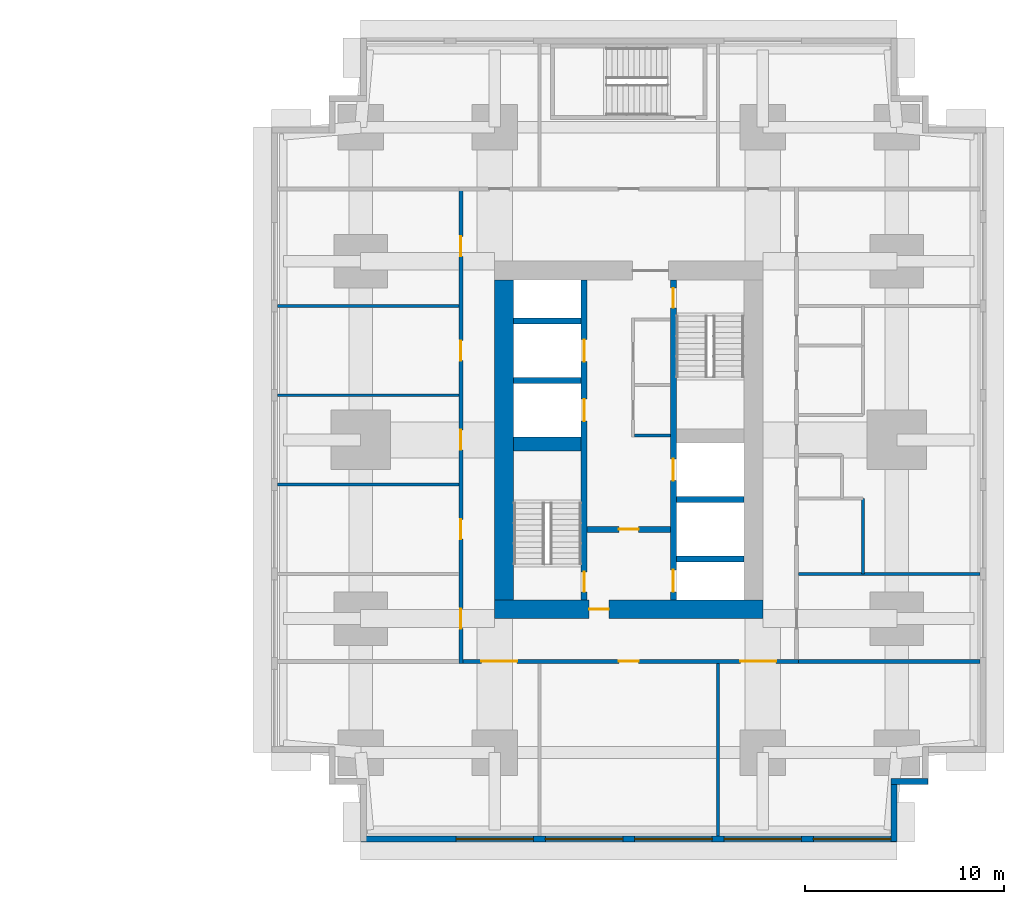
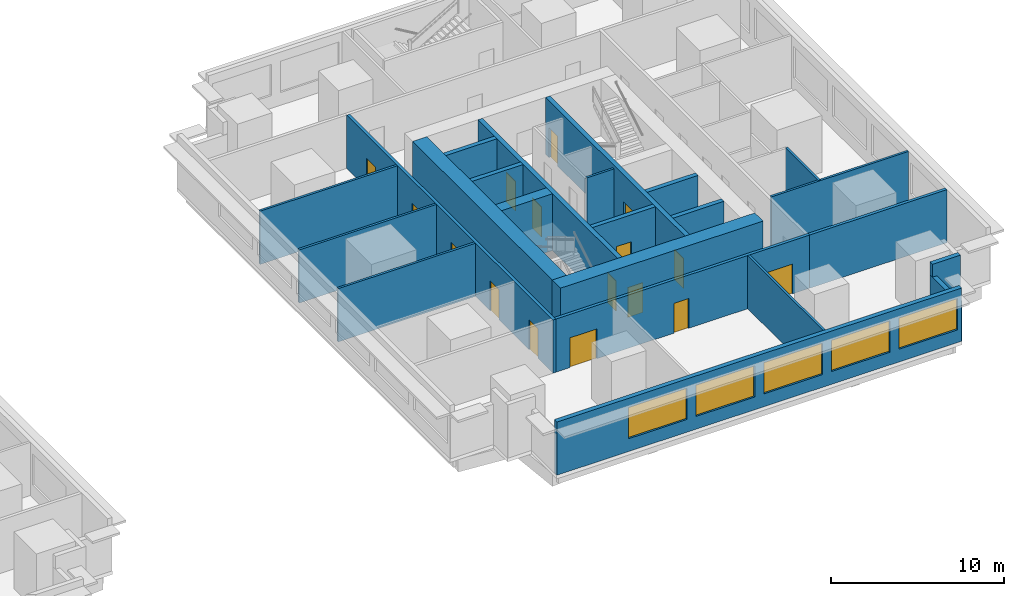
# One storey, part 6 of 11: 23 walls, 16 doors, 5 windows, 21 openings.
"""IFC4 building model written with IfcOpenShell, lengths in metres."""

from ifc_helpers import new_model, si_unit, direction, frame, frame_2d, origin, place, context, subcontext, project, spatial, rectangle, extrude, material, layer, layer_set, type_object, element, fill, save


model = new_model("IFC4")

# Units and contexts
model_context = context("Model", 3, precision=1e-05, world=origin(), true_north=direction((0.0, 1.0)))
body_context = subcontext(model_context, "Body", "Model", "MODEL_VIEW")
ifc_project = project(units=[si_unit("LENGTHUNIT", "METRE"), si_unit("AREAUNIT", "SQUARE_METRE"), si_unit("VOLUMEUNIT", "CUBIC_METRE"), si_unit("PLANEANGLEUNIT", "RADIAN"), si_unit("MASSUNIT", "GRAM", prefix="KILO")], contexts=[model_context])

# Site, building, storey
site_placement = place(None, origin())
site = spatial("IfcSite", under=ifc_project, at=site_placement, CompositionType="ELEMENT")
building_placement = place(site_placement, origin())
building = spatial("IfcBuilding", under=site, at=building_placement, Name="Namib Vertical Campus", CompositionType="ELEMENT")
storey_placement = place(building_placement, frame((0.0, 0.0, 25.0)))
storey = spatial("IfcBuildingStorey", under=building, at=storey_placement, Name="L05", CompositionType="ELEMENT", Elevation=25.0)

# Wall, openings, doors
ifc_material_1 = material(Name="Concrete C60/75", Category="concrete")
ifc_layer_1 = layer(ifc_material_1, 0.300048828125)
ifc_layer_set_1 = layer_set([ifc_layer_1], Name="Concrete C60/75")
wall_type_1 = type_object("IfcWallType", Name="Core inner wall 300", PredefinedType="SHEAR", material=ifc_layer_set_1)
wall_1_placement = place(storey_placement, frame((78.75, 12.199951171875, 0.0), z_axis=(0.0, 0.0, 1.0), x_axis=(0.0, 1.0, 0.0)))
wall_1 = element("IfcWall", 1, at=wall_1_placement, inside=storey, type_object=wall_type_1, Name="Core inner wall B L05 W1", PredefinedType="SHEAR", context=body_context, shape_type="SweptSolid", body=[
    extrude(rectangle(XDim=16.10009765625, YDim=0.300048828125, at=frame_2d((8.050048828125, 0.0))), origin(), (0.0, 0.0, 1.0), 4.0),
])
opening_1_placement = place(wall_1_placement, frame((0.39990234375, 0.0, 0.0)))
opening_1 = element("IfcOpeningElement", 2, at=opening_1_placement, cuts=wall_1, Name="Opening FD1", PredefinedType="OPENING", context=body_context, shape_type="SweptSolid", body=[
    extrude(rectangle(XDim=1.0, YDim=2.10009765625, at=frame_2d((0.5, 1.050048828125))), frame((0.0, 0.159912109375, 0.0), z_axis=(0.0, -1.0, 0.0), x_axis=(1.0, 0.0, 0.0)), (0.0, 0.0, 1.0), 0.320068359375),
])
opening_2_placement = place(wall_1_placement, frame((9.0, 0.0, 0.0)))
opening_2 = element("IfcOpeningElement", 3, at=opening_2_placement, cuts=wall_1, Name="Opening LD1", PredefinedType="OPENING", context=body_context, shape_type="SweptSolid", body=[
    extrude(rectangle(XDim=1.10009765625, YDim=2.10009765625, at=frame_2d((0.550048828125, 1.050048828125))), frame((0.0, 0.159912109375, 0.0), z_axis=(0.0, -1.0, 0.0), x_axis=(1.0, 0.0, 0.0)), (0.0, 0.0, 1.0), 0.320068359375),
])
opening_3_placement = place(wall_1_placement, frame((12.0, 0.0, 0.0)))
opening_3 = element("IfcOpeningElement", 4, at=opening_3_placement, cuts=wall_1, Name="Opening LD1", PredefinedType="OPENING", context=body_context, shape_type="SweptSolid", body=[
    extrude(rectangle(XDim=1.10009765625, YDim=2.10009765625, at=frame_2d((0.550048828125, 1.050048828125))), frame((0.0, 0.159912109375, 0.0), z_axis=(0.0, -1.0, 0.0), x_axis=(1.0, 0.0, 0.0)), (0.0, 0.0, 1.0), 0.320068359375),
])
ifc_material_2 = material(Name="Steel fire door", Category="steel")
door_type_1 = type_object("IfcDoorType", Name="Fire door 1000x2100", OperationType="SINGLE_SWING_RIGHT", PredefinedType="DOOR", material=ifc_material_2)
door_1_placement = place(opening_1_placement, origin())
door_1 = element("IfcDoor", 5, at=door_1_placement, inside=storey, type_object=door_type_1, Name="Stair door FD1 B L05 S1", OperationType="SINGLE_SWING_LEFT", OverallHeight=2.10009765625, OverallWidth=1.0, PredefinedType="DOOR", context=body_context, shape_type="SweptSolid", body=[
    extrude(rectangle(XDim=1.0, YDim=2.10009765625, at=frame_2d((0.5, 1.050048828125))), frame((0.0, 0.02490234375, 0.0), z_axis=(0.0, -1.0, 0.0), x_axis=(1.0, 0.0, 0.0)), (0.0, 0.0, 1.0), 0.050048828125),
])
fill(opening_1, door_1)
ifc_material_3 = material(Name="Stainless steel lift door", Category="steel")
door_type_2 = type_object("IfcDoorType", Name="Lift landing door 1100x2100", OperationType="DOUBLE_DOOR_SLIDING", PredefinedType="DOOR", material=ifc_material_3)
door_2_placement = place(opening_2_placement, origin())
door_2 = element("IfcDoor", 6, at=door_2_placement, inside=storey, type_object=door_type_2, Name="Lift landing door LD1 B-P1 L05", OperationType="DOUBLE_DOOR_SLIDING", OverallHeight=2.10009765625, OverallWidth=1.10009765625, PredefinedType="DOOR", context=body_context, shape_type="SweptSolid", body=[
    extrude(rectangle(XDim=1.10009765625, YDim=2.10009765625, at=frame_2d((0.550048828125, 1.050048828125))), frame((0.0, 0.02490234375, 0.0), z_axis=(0.0, -1.0, 0.0), x_axis=(1.0, 0.0, 0.0)), (0.0, 0.0, 1.0), 0.050048828125),
])
fill(opening_2, door_2)
door_3_placement = place(opening_3_placement, origin())
door_3 = element("IfcDoor", 7, at=door_3_placement, inside=storey, type_object=door_type_2, Name="Lift landing door LD1 B-P2 L05", OperationType="DOUBLE_DOOR_SLIDING", OverallHeight=2.10009765625, OverallWidth=1.10009765625, PredefinedType="DOOR", context=body_context, shape_type="SweptSolid", body=[
    extrude(rectangle(XDim=1.10009765625, YDim=2.10009765625, at=frame_2d((0.550048828125, 1.050048828125))), frame((0.0, 0.02490234375, 0.0), z_axis=(0.0, -1.0, 0.0), x_axis=(1.0, 0.0, 0.0)), (0.0, 0.0, 1.0), 0.050048828125),
])
fill(opening_3, door_3)

wall_2_placement = place(storey_placement, frame((83.25, 12.199951171875, 0.0), z_axis=(0.0, 0.0, 1.0), x_axis=(0.0, 1.0, 0.0)))
wall_2 = element("IfcWall", 8, at=wall_2_placement, inside=storey, type_object=wall_type_1, Name="Core inner wall B L05 W2", PredefinedType="SHEAR", context=body_context, shape_type="SweptSolid", body=[
    extrude(rectangle(XDim=16.10009765625, YDim=0.300048828125, at=frame_2d((8.050048828125, 0.0))), origin(), (0.0, 0.0, 1.0), 4.0),
])
opening_4_placement = place(wall_2_placement, frame((14.699951171875, 0.0, 0.0)))
opening_4 = element("IfcOpeningElement", 9, at=opening_4_placement, cuts=wall_2, Name="Opening FD1", PredefinedType="OPENING", context=body_context, shape_type="SweptSolid", body=[
    extrude(rectangle(XDim=1.0, YDim=2.10009765625, at=frame_2d((0.5, 1.050048828125))), frame((0.0, 0.159912109375, 0.0), z_axis=(0.0, -1.0, 0.0), x_axis=(1.0, 0.0, 0.0)), (0.0, 0.0, 1.0), 0.320068359375),
])
opening_5_placement = place(wall_2_placement, frame((0.39990234375, 0.0, 0.0)))
opening_5 = element("IfcOpeningElement", 10, at=opening_5_placement, cuts=wall_2, Name="Opening LD1", PredefinedType="OPENING", context=body_context, shape_type="SweptSolid", body=[
    extrude(rectangle(XDim=1.10009765625, YDim=2.10009765625, at=frame_2d((0.550048828125, 1.050048828125))), frame((0.0, 0.159912109375, 0.0), z_axis=(0.0, -1.0, 0.0), x_axis=(1.0, 0.0, 0.0)), (0.0, 0.0, 1.0), 0.320068359375),
])
opening_6_placement = place(wall_2_placement, frame((6.0, 0.0, 0.0)))
opening_6 = element("IfcOpeningElement", 11, at=opening_6_placement, cuts=wall_2, Name="Opening LD1", PredefinedType="OPENING", context=body_context, shape_type="SweptSolid", body=[
    extrude(rectangle(XDim=1.10009765625, YDim=2.10009765625, at=frame_2d((0.550048828125, 1.050048828125))), frame((0.0, 0.159912109375, 0.0), z_axis=(0.0, -1.0, 0.0), x_axis=(1.0, 0.0, 0.0)), (0.0, 0.0, 1.0), 0.320068359375),
])
door_4_placement = place(opening_4_placement, frame((1.0, 0.0, 0.0), z_axis=(0.0, 0.0, 1.0), x_axis=(-1.0, 0.0, 0.0)))
door_4 = element("IfcDoor", 12, at=door_4_placement, inside=storey, type_object=door_type_1, Name="Stair door FD1 B L05 S2", OperationType="SINGLE_SWING_LEFT", OverallHeight=2.10009765625, OverallWidth=1.0, PredefinedType="DOOR", context=body_context, shape_type="SweptSolid", body=[
    extrude(rectangle(XDim=1.0, YDim=2.10009765625, at=frame_2d((0.5, 1.050048828125))), frame((0.0, 0.02490234375, 0.0), z_axis=(0.0, -1.0, 0.0), x_axis=(1.0, 0.0, 0.0)), (0.0, 0.0, 1.0), 0.050048828125),
])
fill(opening_4, door_4)
door_5_placement = place(opening_5_placement, origin())
door_5 = element("IfcDoor", 13, at=door_5_placement, inside=storey, type_object=door_type_2, Name="Lift landing door LD1 B-FL1 L05", OperationType="DOUBLE_DOOR_SLIDING", OverallHeight=2.10009765625, OverallWidth=1.10009765625, PredefinedType="DOOR", context=body_context, shape_type="SweptSolid", body=[
    extrude(rectangle(XDim=1.10009765625, YDim=2.10009765625, at=frame_2d((0.550048828125, 1.050048828125))), frame((0.0, 0.02490234375, 0.0), z_axis=(0.0, -1.0, 0.0), x_axis=(1.0, 0.0, 0.0)), (0.0, 0.0, 1.0), 0.050048828125),
])
fill(opening_5, door_5)
door_6_placement = place(opening_6_placement, origin())
door_6 = element("IfcDoor", 14, at=door_6_placement, inside=storey, type_object=door_type_2, Name="Lift landing door LD1 B-P5 L05", OperationType="DOUBLE_DOOR_SLIDING", OverallHeight=2.10009765625, OverallWidth=1.10009765625, PredefinedType="DOOR", context=body_context, shape_type="SweptSolid", body=[
    extrude(rectangle(XDim=1.10009765625, YDim=2.10009765625, at=frame_2d((0.550048828125, 1.050048828125))), frame((0.0, 0.02490234375, 0.0), z_axis=(0.0, -1.0, 0.0), x_axis=(1.0, 0.0, 0.0)), (0.0, 0.0, 1.0), 0.050048828125),
])
fill(opening_6, door_6)

# Wall, opening, door
wall_3_placement = place(storey_placement, frame((78.89990234375, 15.75, 0.0), z_axis=(0.0, 0.0, 1.0), x_axis=(1.0, 0.0, 0.0)))
wall_3 = element("IfcWall", 15, at=wall_3_placement, inside=storey, type_object=wall_type_1, Name="Core inner wall B L05 W4", PredefinedType="SHEAR", context=body_context, shape_type="SweptSolid", body=[
    extrude(rectangle(XDim=4.2001953125, YDim=0.300048828125, at=frame_2d((2.10009765625, 0.0))), origin(), (0.0, 0.0, 1.0), 4.0),
])
opening_7_placement = place(wall_3_placement, frame((1.60009765625, 0.0, 0.0)))
opening_7 = element("IfcOpeningElement", 16, at=opening_7_placement, cuts=wall_3, Name="Opening FD5", PredefinedType="OPENING", context=body_context, shape_type="SweptSolid", body=[
    extrude(rectangle(XDim=1.0, YDim=2.10009765625, at=frame_2d((0.5, 1.050048828125))), frame((0.0, 0.159912109375, 0.0), z_axis=(0.0, -1.0, 0.0), x_axis=(1.0, 0.0, 0.0)), (0.0, 0.0, 1.0), 0.320068359375),
])
ifc_material_4 = material(Name="Steel fire door", Category="steel")
door_type_3 = type_object("IfcDoorType", Name="Fire door 1000x2100 120 min", OperationType="SINGLE_SWING_RIGHT", PredefinedType="DOOR", material=ifc_material_4)
door_7_placement = place(opening_7_placement, frame((1.0, 0.0, 0.0), z_axis=(0.0, 0.0, 1.0), x_axis=(-1.0, 0.0, 0.0)))
door_7 = element("IfcDoor", 17, at=door_7_placement, inside=storey, type_object=door_type_3, Name="Lobby door FD5 B L05", OperationType="SINGLE_SWING_RIGHT", OverallHeight=2.10009765625, OverallWidth=1.0, PredefinedType="DOOR", context=body_context, shape_type="SweptSolid", body=[
    extrude(rectangle(XDim=1.0, YDim=2.10009765625, at=frame_2d((0.5, 1.050048828125))), frame((0.0, 0.02490234375, 0.0), z_axis=(0.0, -1.0, 0.0), x_axis=(1.0, 0.0, 0.0)), (0.0, 0.0, 1.0), 0.050048828125),
])
fill(opening_7, door_7)

# Walls
for number, where, z_axis, x_axis, name in (
    (18, (83.39990234375, 14.25, 0.0), (0.0, 0.0, 1.0), (1.0, 0.0, 0.0), "Core inner wall B L05 W5"),
    (19, (83.39990234375, 17.25, 0.0), (0.0, 0.0, 1.0), (1.0, 0.0, 0.0), "Core inner wall B L05 W6"),
    (20, (75.199951171875, 23.25, 0.0), (0.0, 0.0, 1.0), (1.0, 0.0, 0.0), "Core inner wall B L05 W8"),
    (21, (75.199951171875, 26.25, 0.0), (0.0, 0.0, 1.0), (1.0, 0.0, 0.0), "Core inner wall B L05 W9"),
):
    element("IfcWall", number, at=place(storey_placement, frame(where, z_axis=z_axis, x_axis=x_axis)), inside=storey, type_object=wall_type_1, Name=name, PredefinedType="SHEAR", context=body_context, shape_type="SweptSolid", body=[
        extrude(rectangle(XDim=3.400146484375, YDim=0.300048828125, at=frame_2d((1.7001953125, 0.0))), origin(), (0.0, 0.0, 1.0), 4.0),
    ])
ifc_material_5 = material(Name="Concrete C60/75", Category="concrete")
ifc_layer_2 = layer(ifc_material_5, 0.699951171875)
ifc_layer_set_2 = layer_set([ifc_layer_2], Name="Concrete C60/75")
wall_type_2 = type_object("IfcWallType", Name="Core shear wall 700", PredefinedType="SHEAR", material=ifc_layer_set_2)
wall_4_placement = place(storey_placement, frame((75.199951171875, 20.050048828125, 0.0), z_axis=(0.0, 0.0, 1.0), x_axis=(1.0, 0.0, 0.0)))
element("IfcWall", 22, at=wall_4_placement, inside=storey, type_object=wall_type_2, Name="Core shear wall B L05 W3", PredefinedType="SHEAR", context=body_context, shape_type="SweptSolid", body=[
    extrude(rectangle(XDim=3.400146484375, YDim=0.699951171875, at=frame_2d((1.7001953125, 0.0))), origin(), (0.0, 0.0, 1.0), 4.0),
])

# Wall, opening, door
ifc_material_6 = material(Name="Concrete C60/75", Category="concrete")
ifc_layer_3 = layer(ifc_material_6, 0.949951171875)
ifc_layer_set_3 = layer_set([ifc_layer_3], Name="Concrete C60/75")
wall_type_3 = type_object("IfcWallType", Name="Core wall 950", PredefinedType="SHEAR", material=ifc_layer_set_3)
wall_5_placement = place(storey_placement, frame((74.25, 11.72509765625, 0.0), z_axis=(0.0, 0.0, 1.0), x_axis=(1.0, 0.0, 0.0)))
wall_5 = element("IfcWall", 23, at=wall_5_placement, inside=storey, type_object=wall_type_3, Name="Core wall B L05 1", PredefinedType="SHEAR", context=body_context, shape_type="SweptSolid", body=[
    extrude(rectangle(XDim=13.5, YDim=0.949951171875, at=frame_2d((6.75, 0.0))), origin(), (0.0, 0.0, 1.0), 4.0),
])
opening_8_placement = place(wall_5_placement, frame((4.75, 0.0, 0.0)))
opening_8 = element("IfcOpeningElement", 24, at=opening_8_placement, cuts=wall_5, Name="Opening FD5", PredefinedType="OPENING", context=body_context, shape_type="SweptSolid", body=[
    extrude(rectangle(XDim=1.0, YDim=2.10009765625, at=frame_2d((0.5, 1.050048828125))), frame((0.0, 0.48486328125, 0.0), z_axis=(0.0, -1.0, 0.0), x_axis=(1.0, 0.0, 0.0)), (0.0, 0.0, 1.0), 0.969970703125),
])
door_8_placement = place(opening_8_placement, origin())
door_8 = element("IfcDoor", 25, at=door_8_placement, inside=storey, type_object=door_type_3, Name="Firefighting lobby door FD5 B L05", OperationType="SINGLE_SWING_LEFT", OverallHeight=2.10009765625, OverallWidth=1.0, PredefinedType="DOOR", context=body_context, shape_type="SweptSolid", body=[
    extrude(rectangle(XDim=1.0, YDim=2.10009765625, at=frame_2d((0.5, 1.050048828125))), frame((0.0, 0.02490234375, 0.0), z_axis=(0.0, -1.0, 0.0), x_axis=(1.0, 0.0, 0.0)), (0.0, 0.0, 1.0), 0.050048828125),
])
fill(opening_8, door_8)

# Wall
wall_6_placement = place(storey_placement, frame((74.72509765625, 28.300048828125, 0.0), z_axis=(0.0, 0.0, 1.0), x_axis=(0.0, -1.0, 0.0)))
element("IfcWall", 26, at=wall_6_placement, inside=storey, type_object=wall_type_3, Name="Core wall B L05 4", PredefinedType="SHEAR", context=body_context, shape_type="SweptSolid", body=[
    extrude(rectangle(XDim=16.10009765625, YDim=0.949951171875, at=frame_2d((8.050048828125, 0.0))), origin(), (0.0, 0.0, 1.0), 4.0),
])

# Wall, openings, doors
ifc_material_7 = material(Name="Concrete masonry", Category="masonry")
ifc_layer_4 = layer(ifc_material_7, 0.199951171875)
ifc_layer_set_4 = layer_set([ifc_layer_4], Name="Corridor wall 200")
wall_type_4 = type_object("IfcWallType", Name="Corridor wall 200", PredefinedType="SOLIDWALL", material=ifc_layer_set_4)
wall_7_placement = place(storey_placement, frame((72.64990234375, 9.10009765625, 0.0), z_axis=(0.0, 0.0, 1.0), x_axis=(1.0, 0.0, 0.0)))
wall_7 = element("IfcWall", 27, at=wall_7_placement, inside=storey, type_object=wall_type_4, Name="Corridor wall B L05 CS", PredefinedType="SOLIDWALL", context=body_context, shape_type="SweptSolid", body=[
    extrude(rectangle(XDim=16.900146484375, YDim=0.199951171875, at=frame_2d((8.4501953125, 0.0))), origin(), (0.0, 0.0, 1.0), 3.75),
])
opening_9_placement = place(wall_7_placement, frame((0.925048828125, 0.0, 0.0)))
opening_9 = element("IfcOpeningElement", 28, at=opening_9_placement, cuts=wall_7, Name="Opening CD2", PredefinedType="OPENING", context=body_context, shape_type="SweptSolid", body=[
    extrude(rectangle(XDim=1.800048828125, YDim=2.10009765625, at=frame_2d((0.89990234375, 1.050048828125))), frame((0.0, 0.10986328125, 0.0), z_axis=(0.0, -1.0, 0.0), x_axis=(1.0, 0.0, 0.0)), (0.0, 0.0, 1.0), 0.219970703125),
])
opening_10_placement = place(wall_7_placement, frame((7.85009765625, 0.0, 0.0)))
opening_10 = element("IfcOpeningElement", 29, at=opening_10_placement, cuts=wall_7, Name="Opening CD1", PredefinedType="OPENING", context=body_context, shape_type="SweptSolid", body=[
    extrude(rectangle(XDim=1.0, YDim=2.10009765625, at=frame_2d((0.5, 1.050048828125))), frame((0.0, 0.10986328125, 0.0), z_axis=(0.0, -1.0, 0.0), x_axis=(1.0, 0.0, 0.0)), (0.0, 0.0, 1.0), 0.219970703125),
])
opening_11_placement = place(wall_7_placement, frame((13.97509765625, 0.0, 0.0)))
opening_11 = element("IfcOpeningElement", 30, at=opening_11_placement, cuts=wall_7, Name="Opening CD2", PredefinedType="OPENING", context=body_context, shape_type="SweptSolid", body=[
    extrude(rectangle(XDim=1.800048828125, YDim=2.10009765625, at=frame_2d((0.89990234375, 1.050048828125))), frame((0.0, 0.10986328125, 0.0), z_axis=(0.0, -1.0, 0.0), x_axis=(1.0, 0.0, 0.0)), (0.0, 0.0, 1.0), 0.219970703125),
])
ifc_material_8 = material(Name="Timber fire door leaf", Category="wood")
door_type_4 = type_object("IfcDoorType", Name="Corridor door 1000x2100 20 min", OperationType="SINGLE_SWING_LEFT", PredefinedType="DOOR", material=ifc_material_8)
door_9_placement = place(opening_10_placement, frame((1.0, 0.0, 0.0), z_axis=(0.0, 0.0, 1.0), x_axis=(-1.0, 0.0, 0.0)))
door_9 = element("IfcDoor", 31, at=door_9_placement, inside=storey, type_object=door_type_4, Name="Door CD1 B05-02", OperationType="SINGLE_SWING_RIGHT", OverallHeight=2.10009765625, OverallWidth=1.0, PredefinedType="DOOR", context=body_context, shape_type="SweptSolid", body=[
    extrude(rectangle(XDim=1.0, YDim=2.10009765625, at=frame_2d((0.5, 1.050048828125))), frame((0.0, 0.02490234375, 0.0), z_axis=(0.0, -1.0, 0.0), x_axis=(1.0, 0.0, 0.0)), (0.0, 0.0, 1.0), 0.050048828125),
])
fill(opening_10, door_9)
ifc_material_9 = material(Name="Timber fire door leaf", Category="wood")
door_type_5 = type_object("IfcDoorType", Name="Corridor door double 1800x2100 20 min", OperationType="DOUBLE_DOOR_SINGLE_SWING", PredefinedType="DOOR", material=ifc_material_9)
door_10_placement = place(opening_9_placement, frame((1.800048828125, 0.0, 0.0), z_axis=(0.0, 0.0, 1.0), x_axis=(-1.0, 0.0, 0.0)))
door_10 = element("IfcDoor", 32, at=door_10_placement, inside=storey, type_object=door_type_5, Name="Door CD2 B05-01", OperationType="DOUBLE_DOOR_SINGLE_SWING", OverallHeight=2.10009765625, OverallWidth=1.800048828125, PredefinedType="DOOR", context=body_context, shape_type="SweptSolid", body=[
    extrude(rectangle(XDim=1.800048828125, YDim=2.10009765625, at=frame_2d((0.89990234375, 1.050048828125))), frame((0.0, 0.02490234375, 0.0), z_axis=(0.0, -1.0, 0.0), x_axis=(1.0, 0.0, 0.0)), (0.0, 0.0, 1.0), 0.050048828125),
])
fill(opening_9, door_10)
door_11_placement = place(opening_11_placement, frame((1.800048828125, 0.0, 0.0), z_axis=(0.0, 0.0, 1.0), x_axis=(-1.0, 0.0, 0.0)))
door_11 = element("IfcDoor", 33, at=door_11_placement, inside=storey, type_object=door_type_5, Name="Door CD2 B05-03", OperationType="DOUBLE_DOOR_SINGLE_SWING", OverallHeight=2.10009765625, OverallWidth=1.800048828125, PredefinedType="DOOR", context=body_context, shape_type="SweptSolid", body=[
    extrude(rectangle(XDim=1.800048828125, YDim=2.10009765625, at=frame_2d((0.89990234375, 1.050048828125))), frame((0.0, 0.02490234375, 0.0), z_axis=(0.0, -1.0, 0.0), x_axis=(1.0, 0.0, 0.0)), (0.0, 0.0, 1.0), 0.050048828125),
])
fill(opening_11, door_11)

wall_8_placement = place(storey_placement, frame((72.550048828125, 32.800048828125, 0.0), z_axis=(0.0, 0.0, 1.0), x_axis=(0.0, -1.0, 0.0)))
wall_8 = element("IfcWall", 34, at=wall_8_placement, inside=storey, type_object=wall_type_4, Name="Corridor wall B L05 CW", PredefinedType="SOLIDWALL", context=body_context, shape_type="SweptSolid", body=[
    extrude(rectangle(XDim=23.800048828125, YDim=0.199951171875, at=frame_2d((11.89990234375, 0.0))), origin(), (0.0, 0.0, 1.0), 3.75),
])
opening_12_placement = place(wall_8_placement, frame((21.050048828125, 0.0, 0.0)))
opening_12 = element("IfcOpeningElement", 35, at=opening_12_placement, cuts=wall_8, Name="Opening CD1", PredefinedType="OPENING", context=body_context, shape_type="SweptSolid", body=[
    extrude(rectangle(XDim=1.0, YDim=2.10009765625, at=frame_2d((0.5, 1.050048828125))), frame((0.0, 0.10986328125, 0.0), z_axis=(0.0, -1.0, 0.0), x_axis=(1.0, 0.0, 0.0)), (0.0, 0.0, 1.0), 0.219970703125),
])
opening_13_placement = place(wall_8_placement, frame((16.550048828125, 0.0, 0.0)))
opening_13 = element("IfcOpeningElement", 36, at=opening_13_placement, cuts=wall_8, Name="Opening CD1", PredefinedType="OPENING", context=body_context, shape_type="SweptSolid", body=[
    extrude(rectangle(XDim=1.0, YDim=2.10009765625, at=frame_2d((0.5, 1.050048828125))), frame((0.0, 0.10986328125, 0.0), z_axis=(0.0, -1.0, 0.0), x_axis=(1.0, 0.0, 0.0)), (0.0, 0.0, 1.0), 0.219970703125),
])
opening_14_placement = place(wall_8_placement, frame((12.050048828125, 0.0, 0.0)))
opening_14 = element("IfcOpeningElement", 37, at=opening_14_placement, cuts=wall_8, Name="Opening CD1", PredefinedType="OPENING", context=body_context, shape_type="SweptSolid", body=[
    extrude(rectangle(XDim=1.0, YDim=2.10009765625, at=frame_2d((0.5, 1.050048828125))), frame((0.0, 0.10986328125, 0.0), z_axis=(0.0, -1.0, 0.0), x_axis=(1.0, 0.0, 0.0)), (0.0, 0.0, 1.0), 0.219970703125),
])
opening_15_placement = place(wall_8_placement, frame((7.550048828125, 0.0, 0.0)))
opening_15 = element("IfcOpeningElement", 38, at=opening_15_placement, cuts=wall_8, Name="Opening CD1", PredefinedType="OPENING", context=body_context, shape_type="SweptSolid", body=[
    extrude(rectangle(XDim=1.0, YDim=2.10009765625, at=frame_2d((0.5, 1.050048828125))), frame((0.0, 0.10986328125, 0.0), z_axis=(0.0, -1.0, 0.0), x_axis=(1.0, 0.0, 0.0)), (0.0, 0.0, 1.0), 0.219970703125),
])
opening_16_placement = place(wall_8_placement, frame((2.300048828125, 0.0, 0.0)))
opening_16 = element("IfcOpeningElement", 39, at=opening_16_placement, cuts=wall_8, Name="Opening CD1", PredefinedType="OPENING", context=body_context, shape_type="SweptSolid", body=[
    extrude(rectangle(XDim=1.0, YDim=2.10009765625, at=frame_2d((0.5, 1.050048828125))), frame((0.0, 0.10986328125, 0.0), z_axis=(0.0, -1.0, 0.0), x_axis=(1.0, 0.0, 0.0)), (0.0, 0.0, 1.0), 0.219970703125),
])
door_12_placement = place(opening_12_placement, frame((1.0, 0.0, 0.0), z_axis=(0.0, 0.0, 1.0), x_axis=(-1.0, 0.0, 0.0)))
door_12 = element("IfcDoor", 40, at=door_12_placement, inside=storey, type_object=door_type_4, Name="Door CD1 B05-14", OperationType="SINGLE_SWING_RIGHT", OverallHeight=2.10009765625, OverallWidth=1.0, PredefinedType="DOOR", context=body_context, shape_type="SweptSolid", body=[
    extrude(rectangle(XDim=1.0, YDim=2.10009765625, at=frame_2d((0.5, 1.050048828125))), frame((0.0, 0.02490234375, 0.0), z_axis=(0.0, -1.0, 0.0), x_axis=(1.0, 0.0, 0.0)), (0.0, 0.0, 1.0), 0.050048828125),
])
fill(opening_12, door_12)
door_13_placement = place(opening_13_placement, frame((1.0, 0.0, 0.0), z_axis=(0.0, 0.0, 1.0), x_axis=(-1.0, 0.0, 0.0)))
door_13 = element("IfcDoor", 41, at=door_13_placement, inside=storey, type_object=door_type_4, Name="Door CD1 B05-15", OperationType="SINGLE_SWING_RIGHT", OverallHeight=2.10009765625, OverallWidth=1.0, PredefinedType="DOOR", context=body_context, shape_type="SweptSolid", body=[
    extrude(rectangle(XDim=1.0, YDim=2.10009765625, at=frame_2d((0.5, 1.050048828125))), frame((0.0, 0.02490234375, 0.0), z_axis=(0.0, -1.0, 0.0), x_axis=(1.0, 0.0, 0.0)), (0.0, 0.0, 1.0), 0.050048828125),
])
fill(opening_13, door_13)
door_14_placement = place(opening_14_placement, frame((1.0, 0.0, 0.0), z_axis=(0.0, 0.0, 1.0), x_axis=(-1.0, 0.0, 0.0)))
door_14 = element("IfcDoor", 42, at=door_14_placement, inside=storey, type_object=door_type_4, Name="Door CD1 B05-16", OperationType="SINGLE_SWING_RIGHT", OverallHeight=2.10009765625, OverallWidth=1.0, PredefinedType="DOOR", context=body_context, shape_type="SweptSolid", body=[
    extrude(rectangle(XDim=1.0, YDim=2.10009765625, at=frame_2d((0.5, 1.050048828125))), frame((0.0, 0.02490234375, 0.0), z_axis=(0.0, -1.0, 0.0), x_axis=(1.0, 0.0, 0.0)), (0.0, 0.0, 1.0), 0.050048828125),
])
fill(opening_14, door_14)
door_15_placement = place(opening_15_placement, frame((1.0, 0.0, 0.0), z_axis=(0.0, 0.0, 1.0), x_axis=(-1.0, 0.0, 0.0)))
door_15 = element("IfcDoor", 43, at=door_15_placement, inside=storey, type_object=door_type_4, Name="Door CD1 B05-17", OperationType="SINGLE_SWING_RIGHT", OverallHeight=2.10009765625, OverallWidth=1.0, PredefinedType="DOOR", context=body_context, shape_type="SweptSolid", body=[
    extrude(rectangle(XDim=1.0, YDim=2.10009765625, at=frame_2d((0.5, 1.050048828125))), frame((0.0, 0.02490234375, 0.0), z_axis=(0.0, -1.0, 0.0), x_axis=(1.0, 0.0, 0.0)), (0.0, 0.0, 1.0), 0.050048828125),
])
fill(opening_15, door_15)
door_16_placement = place(opening_16_placement, frame((1.0, 0.0, 0.0), z_axis=(0.0, 0.0, 1.0), x_axis=(-1.0, 0.0, 0.0)))
door_16 = element("IfcDoor", 44, at=door_16_placement, inside=storey, type_object=door_type_4, Name="Door CD1 B05-18", OperationType="SINGLE_SWING_RIGHT", OverallHeight=2.10009765625, OverallWidth=1.0, PredefinedType="DOOR", context=body_context, shape_type="SweptSolid", body=[
    extrude(rectangle(XDim=1.0, YDim=2.10009765625, at=frame_2d((0.5, 1.050048828125))), frame((0.0, 0.02490234375, 0.0), z_axis=(0.0, -1.0, 0.0), x_axis=(1.0, 0.0, 0.0)), (0.0, 0.0, 1.0), 0.050048828125),
])
fill(opening_16, door_16)

# Wall
wall_9_placement = place(storey_placement, frame((89.550048828125, 9.10009765625, 0.0), z_axis=(0.0, 0.0, 1.0), x_axis=(1.0, 0.0, 0.0)))
element("IfcWall", 45, at=wall_9_placement, inside=storey, type_object=wall_type_4, Name="Partition B L05 BSE", PredefinedType="SOLIDWALL", context=body_context, shape_type="SweptSolid", body=[
    extrude(rectangle(XDim=9.14990234375, YDim=0.199951171875, at=frame_2d((4.574951171875, 0.0))), origin(), (0.0, 0.0, 1.0), 3.75),
])

# Wall, openings, windows
ifc_material_10 = material(Name="Concrete C40/50", Category="concrete")
ifc_layer_5 = layer(ifc_material_10, 0.300048828125)
ifc_layer_set_5 = layer_set([ifc_layer_5], Name="Concrete C40/50")
wall_type_5 = type_object("IfcWallType", Name="External wall 300 board-marked concrete", PredefinedType="STANDARD", material=ifc_layer_set_5)
wall_10_placement = place(storey_placement, frame((67.52001953125, 0.14990234375, 0.0), z_axis=(0.0, 0.0, 1.0), x_axis=(1.0, 0.0, 0.0)))
wall_10 = element("IfcWall", 46, at=wall_10_placement, inside=storey, type_object=wall_type_5, Name="External wall L05 F01", PredefinedType="STANDARD", context=body_context, shape_type="SweptSolid", body=[
    extrude(rectangle(XDim=26.9599609375, YDim=0.300048828125, at=frame_2d((13.47998046875, 0.0))), origin(), (0.0, 0.0, 1.0), 3.75),
])
opening_17_placement = place(wall_10_placement, frame((4.780029296875, 0.0, 0.89990234375)))
opening_17 = element("IfcOpeningElement", 47, at=opening_17_placement, cuts=wall_10, Name="Opening W1", PredefinedType="OPENING", context=body_context, shape_type="SweptSolid", body=[
    extrude(rectangle(XDim=3.89990234375, YDim=2.199951171875, at=frame_2d((1.949951171875, 1.10009765625))), frame((0.0, 0.159912109375, 0.0), z_axis=(0.0, -1.0, 0.0), x_axis=(1.0, 0.0, 0.0)), (0.0, 0.0, 1.0), 0.320068359375),
])
opening_18_placement = place(wall_10_placement, frame((9.280029296875, 0.0, 0.89990234375)))
opening_18 = element("IfcOpeningElement", 48, at=opening_18_placement, cuts=wall_10, Name="Opening W1", PredefinedType="OPENING", context=body_context, shape_type="SweptSolid", body=[
    extrude(rectangle(XDim=3.89990234375, YDim=2.199951171875, at=frame_2d((1.949951171875, 1.10009765625))), frame((0.0, 0.159912109375, 0.0), z_axis=(0.0, -1.0, 0.0), x_axis=(1.0, 0.0, 0.0)), (0.0, 0.0, 1.0), 0.320068359375),
])
opening_19_placement = place(wall_10_placement, frame((13.780029296875, 0.0, 0.89990234375)))
opening_19 = element("IfcOpeningElement", 49, at=opening_19_placement, cuts=wall_10, Name="Opening W1", PredefinedType="OPENING", context=body_context, shape_type="SweptSolid", body=[
    extrude(rectangle(XDim=3.89990234375, YDim=2.199951171875, at=frame_2d((1.949951171875, 1.10009765625))), frame((0.0, 0.159912109375, 0.0), z_axis=(0.0, -1.0, 0.0), x_axis=(1.0, 0.0, 0.0)), (0.0, 0.0, 1.0), 0.320068359375),
])
opening_20_placement = place(wall_10_placement, frame((18.280029296875, 0.0, 0.89990234375)))
opening_20 = element("IfcOpeningElement", 50, at=opening_20_placement, cuts=wall_10, Name="Opening W1", PredefinedType="OPENING", context=body_context, shape_type="SweptSolid", body=[
    extrude(rectangle(XDim=3.89990234375, YDim=2.199951171875, at=frame_2d((1.949951171875, 1.10009765625))), frame((0.0, 0.159912109375, 0.0), z_axis=(0.0, -1.0, 0.0), x_axis=(1.0, 0.0, 0.0)), (0.0, 0.0, 1.0), 0.320068359375),
])
opening_21_placement = place(wall_10_placement, frame((22.780029296875, 0.0, 0.89990234375)))
opening_21 = element("IfcOpeningElement", 51, at=opening_21_placement, cuts=wall_10, Name="Opening W1", PredefinedType="OPENING", context=body_context, shape_type="SweptSolid", body=[
    extrude(rectangle(XDim=3.89990234375, YDim=2.199951171875, at=frame_2d((1.949951171875, 1.10009765625))), frame((0.0, 0.159912109375, 0.0), z_axis=(0.0, -1.0, 0.0), x_axis=(1.0, 0.0, 0.0)), (0.0, 0.0, 1.0), 0.320068359375),
])
ifc_material_11 = material(Name="Dark tinted glass in black aluminium frame", Category="aluminium")
window_type = type_object("IfcWindowType", Name="Ribbon window 3900x2200", PartitioningType="SINGLE_PANEL", PredefinedType="WINDOW", material=ifc_material_11)
window_1_placement = place(opening_17_placement, origin())
window_1 = element("IfcWindow", 52, at=window_1_placement, inside=storey, type_object=window_type, Name="Window W1 L05 F01-2", OverallHeight=2.199951171875, OverallWidth=3.89990234375, PartitioningType="SINGLE_PANEL", PredefinedType="WINDOW", context=body_context, shape_type="SweptSolid", body=[
    extrude(rectangle(XDim=3.89990234375, YDim=2.199951171875, at=frame_2d((1.949951171875, 1.10009765625))), frame((0.0, 0.030029296875, 0.0), z_axis=(0.0, -1.0, 0.0), x_axis=(1.0, 0.0, 0.0)), (0.0, 0.0, 1.0), 0.06005859375),
])
fill(opening_17, window_1)
window_2_placement = place(opening_18_placement, origin())
window_2 = element("IfcWindow", 53, at=window_2_placement, inside=storey, type_object=window_type, Name="Window W1 L05 F01-3", OverallHeight=2.199951171875, OverallWidth=3.89990234375, PartitioningType="SINGLE_PANEL", PredefinedType="WINDOW", context=body_context, shape_type="SweptSolid", body=[
    extrude(rectangle(XDim=3.89990234375, YDim=2.199951171875, at=frame_2d((1.949951171875, 1.10009765625))), frame((0.0, 0.030029296875, 0.0), z_axis=(0.0, -1.0, 0.0), x_axis=(1.0, 0.0, 0.0)), (0.0, 0.0, 1.0), 0.06005859375),
])
fill(opening_18, window_2)
window_3_placement = place(opening_19_placement, origin())
window_3 = element("IfcWindow", 54, at=window_3_placement, inside=storey, type_object=window_type, Name="Window W1 L05 F01-4", OverallHeight=2.199951171875, OverallWidth=3.89990234375, PartitioningType="SINGLE_PANEL", PredefinedType="WINDOW", context=body_context, shape_type="SweptSolid", body=[
    extrude(rectangle(XDim=3.89990234375, YDim=2.199951171875, at=frame_2d((1.949951171875, 1.10009765625))), frame((0.0, 0.030029296875, 0.0), z_axis=(0.0, -1.0, 0.0), x_axis=(1.0, 0.0, 0.0)), (0.0, 0.0, 1.0), 0.06005859375),
])
fill(opening_19, window_3)
window_4_placement = place(opening_20_placement, origin())
window_4 = element("IfcWindow", 55, at=window_4_placement, inside=storey, type_object=window_type, Name="Window W1 L05 F01-5", OverallHeight=2.199951171875, OverallWidth=3.89990234375, PartitioningType="SINGLE_PANEL", PredefinedType="WINDOW", context=body_context, shape_type="SweptSolid", body=[
    extrude(rectangle(XDim=3.89990234375, YDim=2.199951171875, at=frame_2d((1.949951171875, 1.10009765625))), frame((0.0, 0.030029296875, 0.0), z_axis=(0.0, -1.0, 0.0), x_axis=(1.0, 0.0, 0.0)), (0.0, 0.0, 1.0), 0.06005859375),
])
fill(opening_20, window_4)
window_5_placement = place(opening_21_placement, origin())
window_5 = element("IfcWindow", 56, at=window_5_placement, inside=storey, type_object=window_type, Name="Window W1 L05 F01-6", OverallHeight=2.199951171875, OverallWidth=3.89990234375, PartitioningType="SINGLE_PANEL", PredefinedType="WINDOW", context=body_context, shape_type="SweptSolid", body=[
    extrude(rectangle(XDim=3.89990234375, YDim=2.199951171875, at=frame_2d((1.949951171875, 1.10009765625))), frame((0.0, 0.030029296875, 0.0), z_axis=(0.0, -1.0, 0.0), x_axis=(1.0, 0.0, 0.0)), (0.0, 0.0, 1.0), 0.06005859375),
])
fill(opening_21, window_5)

# Walls
wall_11_placement = place(storey_placement, frame((94.35009765625, 0.02001953125, 0.0), z_axis=(0.0, 0.0, 1.0), x_axis=(0.0, 1.0, 0.0)))
element("IfcWall", 57, at=wall_11_placement, inside=storey, type_object=wall_type_5, Name="External wall L05 F02", PredefinedType="STANDARD", context=body_context, shape_type="SweptSolid", body=[
    extrude(rectangle(XDim=3.159912109375, YDim=0.300048828125, at=frame_2d((1.580078125, 0.0))), origin(), (0.0, 0.0, 1.0), 2.85009765625),
])
wall_12_placement = place(storey_placement, frame((94.219970703125, 3.050048828125, 0.0), z_axis=(0.0, 0.0, 1.0), x_axis=(1.0, 0.0, 0.0)))
element("IfcWall", 58, at=wall_12_placement, inside=storey, type_object=wall_type_5, Name="External wall L05 F03", PredefinedType="STANDARD", context=body_context, shape_type="SweptSolid", body=[
    extrude(rectangle(XDim=1.860107421875, YDim=0.300048828125, at=frame_2d((0.93017578125, 0.0))), origin(), (0.0, 0.0, 1.0), 3.75),
])
ifc_material_12 = material(Name="Gypsum board on steel studs", Category="steel")
ifc_layer_6 = layer(ifc_material_12, 0.14990234375)
ifc_layer_set_6 = layer_set([ifc_layer_6], Name="Gypsum board on steel studs")
wall_type_6 = type_object("IfcWallType", Name="Partition 150", PredefinedType="PARTITIONING", material=ifc_layer_set_6)
wall_13_placement = place(storey_placement, frame((81.300048828125, 20.47509765625, 0.0), z_axis=(0.0, 0.0, 1.0), x_axis=(1.0, 0.0, 0.0)))
element("IfcWall", 59, at=wall_13_placement, inside=storey, type_object=wall_type_6, Name="Partition B L05 Comms room and Store end 1", PredefinedType="PARTITIONING", context=body_context, shape_type="SweptSolid", body=[
    extrude(rectangle(XDim=1.800048828125, YDim=0.14990234375, at=frame_2d((0.89990234375, 0.0))), origin(), (0.0, 0.0, 1.0), 3.75),
])
wall_14_placement = place(storey_placement, frame((85.5, 0.300048828125, 0.0), z_axis=(0.0, 0.0, 1.0), x_axis=(0.0, 1.0, 0.0)))
element("IfcWall", 60, at=wall_14_placement, inside=storey, type_object=wall_type_6, Name="Partition B L05 PS2", PredefinedType="PARTITIONING", context=body_context, shape_type="SweptSolid", body=[
    extrude(rectangle(XDim=8.699951171875, YDim=0.14990234375, at=frame_2d((4.35009765625, 0.0))), origin(), (0.0, 0.0, 1.0), 3.75),
])
for number, where, z_axis, x_axis, name in (
    (61, (89.550048828125, 13.5, 0.0), (0.0, 0.0, 1.0), (1.0, 0.0, 0.0), "Partition B L05 PE1"),
    (62, (63.300048828125, 18.0, 0.0), (0.0, 0.0, 1.0), (1.0, 0.0, 0.0), "Partition B L05 PW2"),
    (63, (63.300048828125, 22.5, 0.0), (0.0, 0.0, 1.0), (1.0, 0.0, 0.0), "Partition B L05 PW3"),
    (64, (63.300048828125, 27.0, 0.0), (0.0, 0.0, 1.0), (1.0, 0.0, 0.0), "Partition B L05 PW4"),
):
    element("IfcWall", number, at=place(storey_placement, frame(where, z_axis=z_axis, x_axis=x_axis)), inside=storey, type_object=wall_type_6, Name=name, PredefinedType="PARTITIONING", context=body_context, shape_type="SweptSolid", body=[
        extrude(rectangle(XDim=9.14990234375, YDim=0.14990234375, at=frame_2d((4.574951171875, 0.0))), origin(), (0.0, 0.0, 1.0), 3.75),
    ])
wall_15_placement = place(storey_placement, frame((92.800048828125, 13.5, 0.0), z_axis=(0.0, 0.0, 1.0), x_axis=(0.0, 1.0, 0.0)))
element("IfcWall", 65, at=wall_15_placement, inside=storey, type_object=wall_type_6, Name="Partition B L05 WB1", PredefinedType="PARTITIONING", context=body_context, shape_type="SweptSolid", body=[
    extrude(rectangle(XDim=3.800048828125, YDim=0.14990234375, at=frame_2d((1.89990234375, 0.0))), origin(), (0.0, 0.0, 1.0), 3.75),
])

save(model, "model.ifc")
